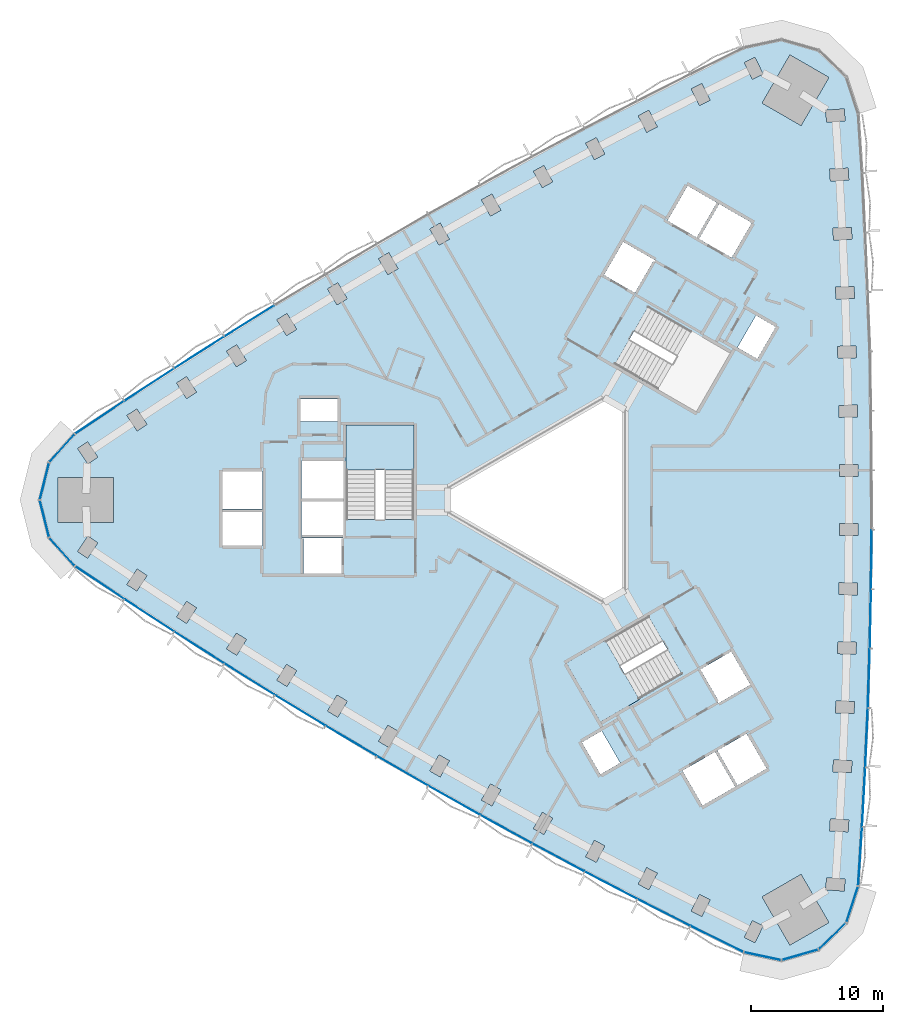
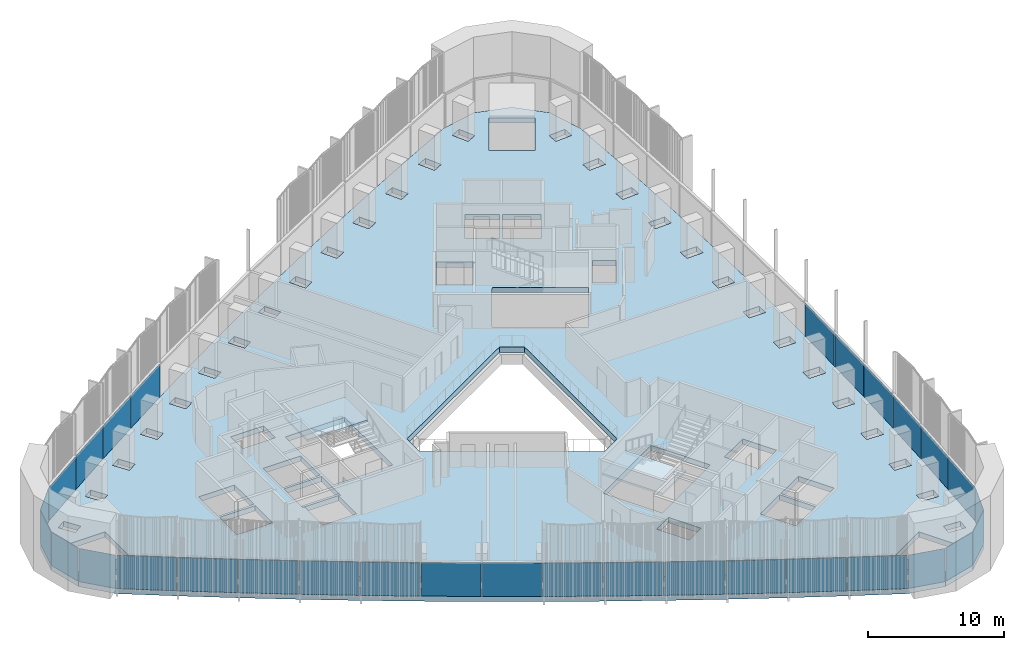
# One storey, part 6 of 15: 31 plates, 3 slabs, 5 elements without a shape of their own.
"""IFC4 building model written with IfcOpenShell, lengths in metres."""

from ifc_helpers import new_model, si_unit, direction, frame, origin, origin_2d, place, context, subcontext, project, spatial, polyline, rectangle, outline, extrude, material, layer, layer_set, type_object, element, aggregate, save


model = new_model("IFC4")

# Units and contexts
model_context = context("Model", 3, precision=1e-05, world=origin(), true_north=direction((0.0, 1.0)))
body_context = subcontext(model_context, "Body", "Model", "MODEL_VIEW")
ifc_project = project(units=[si_unit("LENGTHUNIT", "METRE"), si_unit("AREAUNIT", "SQUARE_METRE"), si_unit("VOLUMEUNIT", "CUBIC_METRE"), si_unit("PLANEANGLEUNIT", "RADIAN"), si_unit("MASSUNIT", "GRAM", prefix="KILO")], contexts=[model_context])

# Site, building, storey
site_placement = place(None, origin())
site = spatial("IfcSite", under=ifc_project, at=site_placement, CompositionType="ELEMENT")
building_placement = place(site_placement, origin())
building = spatial("IfcBuilding", under=site, at=building_placement, Name="Tamra Quay Hotel Tower", CompositionType="ELEMENT")
storey_placement = place(building_placement, frame((0.0, 0.0, 67.39990234375)))
storey = spatial("IfcBuildingStorey", under=building, at=storey_placement, Name="L15", CompositionType="ELEMENT", Elevation=67.39990234375)

# Stair, slab
ifc_material_1 = material(Name="Exit stair 2200 24 risers 150.0 going 342")
stair_type = type_object("IfcStairType", Name="Exit stair 2200 24 risers 150.0 going 342", PredefinedType="HALF_TURN_STAIR", material=ifc_material_1)
stair_1_placement = place(storey_placement, origin())
stair_1 = element("IfcStair", 1, at=stair_1_placement, inside=storey, type_object=stair_type, Name="L15 Exit stair ST3", PredefinedType="HALF_TURN_STAIR")
ifc_material_2 = material(Name="Concrete M70", Category="concrete")
ifc_layer_1 = layer(ifc_material_2, 0.175048828125)
ifc_layer_set_1 = layer_set([ifc_layer_1], Name="Concrete M70 stair landing 180")
slab_type_1 = type_object("IfcSlabType", Name="Concrete M70 stair landing 180", PredefinedType="LANDING", material=ifc_layer_set_1)
slab_1_placement = place(storey_placement, frame((0.0, 0.0, 1.625)))
slab_1 = element("IfcSlab", 2, at=slab_1_placement, type_object=slab_type_1, Name="ST3 landing 1", PredefinedType="LANDING", context=body_context, shape_type="SweptSolid", body=[
    extrude(outline(polyline([(-10.932373046875, 2.261962890625), (-10.932373046875, 5.679931640625), (-16.09130859375, 5.679931640625), (-16.09130859375, 2.261962890625), (-10.932373046875, 2.261962890625)])), origin(), (0.0, 0.0, 1.0), 0.175048828125),
])
aggregate(stair_1, [slab_1])

stair_2_placement = place(storey_placement, origin())
stair_2 = element("IfcStair", 3, at=stair_2_placement, inside=storey, type_object=stair_type, Name="L15 Exit stair ST2", PredefinedType="HALF_TURN_STAIR")
slab_2_placement = place(storey_placement, frame((0.0, 0.0, 1.625)))
slab_2 = element("IfcSlab", 4, at=slab_2_placement, type_object=slab_type_1, Name="ST2 landing 1", PredefinedType="LANDING", context=body_context, shape_type="SweptSolid", body=[
    extrude(outline(polyline([(3.50732421875, -10.5986328125), (0.547119140625, -12.3076171875), (3.126708984375, -16.775390625), (6.086669921875, -15.06640625), (3.50732421875, -10.5986328125)])), origin(), (0.0, 0.0, 1.0), 0.175048828125),
])
aggregate(stair_2, [slab_2])

# Slab
ifc_material_3 = material(Name="Concrete M60", Category="concrete")
ifc_layer_2 = layer(ifc_material_3, 0.47509765625)
ifc_layer_set_2 = layer_set([ifc_layer_2], Name="FLOOR SLAB PT 475")
slab_type_2 = type_object("IfcSlabType", Name="FLOOR SLAB PT 475", PredefinedType="FLOOR", material=ifc_layer_set_2)
slab_3_placement = place(storey_placement, frame((0.0, 0.0, -0.474853515625)))
element("IfcSlab", 5, at=slab_3_placement, inside=storey, type_object=slab_type_2, Name="SLAB-L15", PredefinedType="FLOOR", context=body_context, shape_type="SweptSolid", body=[
    extrude(outline(polyline([(22.8896484375, 24.67529296875), (23.13232421875, 20.1923828125), (23.32666015625, 15.707763671875), (23.472412109375, 11.221435546875), (23.569580078125, 6.73291015625), (23.618408203125, 2.244384765625), (23.618408203125, -2.244384765625), (23.569580078125, -6.73291015625), (23.472412109375, -11.221435546875), (23.32666015625, -15.707763671875), (23.13232421875, -20.1923828125), (22.8896484375, -24.67529296875), (22.598876953125, -29.154296875), (21.697998046875, -31.926025390625), (19.601318359375, -33.95068359375), (16.7998046875, -34.754150390625), (13.948974609375, -34.148193359375), (9.9248046875, -32.16064453125), (5.9208984375, -30.12939453125), (1.93994140625, -28.055419921875), (-2.018310546875, -25.9384765625), (-5.9541015625, -23.7783203125), (-9.865478515625, -21.576171875), (-13.752685546875, -19.331787109375), (-17.61572265625, -17.04541015625), (-21.454345703125, -14.717041015625), (-25.2666015625, -12.34765625), (-29.05322265625, -9.93701171875), (-32.814208984375, -7.4853515625), (-36.547607421875, -4.993896484375), (-38.497802734375, -2.827880859375), (-39.202880859375, 0.0), (-38.497802734375, 2.827880859375), (-36.547607421875, 4.993896484375), (-32.814208984375, 7.4853515625), (-29.05322265625, 9.93701171875), (-25.2666015625, 12.34765625), (-21.454345703125, 14.717041015625), (-17.61572265625, 17.04541015625), (-13.752685546875, 19.331787109375), (-9.865478515625, 21.576171875), (-5.9541015625, 23.7783203125), (-2.018310546875, 25.9384765625), (1.93994140625, 28.055419921875), (5.9208984375, 30.12939453125), (9.9248046875, 32.16064453125), (13.948974609375, 34.148193359375), (16.7998046875, 34.754150390625), (19.601318359375, 33.95068359375), (21.697998046875, 31.926025390625), (22.598876953125, 29.154296875), (22.8896484375, 24.67529296875)]), holes=[polyline([(-17.475830078125, -15.935791015625), (-16.70361328125, -16.39794921875), (-15.984375, -15.19677734375), (-16.756591796875, -14.734619140625), (-17.475830078125, -15.935791015625)]), polyline([(-20.56884765625, -12.416015625), (-21.3017578125, -13.60888671875), (-20.534912109375, -14.080078125), (-19.802001953125, -12.88720703125), (-20.56884765625, -12.416015625)]), polyline([(-24.357177734375, -10.05615234375), (-25.102294921875, -11.2412109375), (-24.340576171875, -11.72021484375), (-23.59521484375, -10.53515625), (-24.357177734375, -10.05615234375)]), polyline([(-28.11962890625, -7.6552734375), (-28.87744140625, -8.83251953125), (-28.12060546875, -9.319580078125), (-27.36279296875, -8.142578125), (-28.11962890625, -7.6552734375)]), polyline([(-31.854736328125, -5.21435546875), (-32.6259765625, -6.3828125), (-31.874755859375, -6.878662109375), (-31.103515625, -5.710205078125), (-31.854736328125, -5.21435546875)]), polyline([(-16.3173828125, -2.85498046875), (-19.4072265625, -2.85498046875), (-19.4072265625, -2.89306640625), (-19.307373046875, -2.89306640625), (-19.307373046875, -5.544921875), (-16.417236328125, -5.544921875), (-16.417236328125, -2.89306640625), (-16.3173828125, -2.89306640625), (-16.3173828125, -2.85498046875)]), polyline([(-35.565185546875, -2.73291015625), (-36.347900390625, -3.8935546875), (-35.601806640625, -4.396728515625), (-34.819091796875, -3.236083984375), (-35.565185546875, -2.73291015625)]), polyline([(-22.3671875, -3.445068359375), (-22.3671875, -0.905029296875), (-25.4072265625, -0.905029296875), (-25.4072265625, -3.445068359375), (-22.3671875, -3.445068359375)]), polyline([(-19.417236328125, -2.89306640625), (-19.417236328125, -2.64501953125), (-16.307373046875, -2.64501953125), (-16.307373046875, -2.89306640625), (-16.26708984375, -2.89306640625), (-16.26708984375, -0.10498046875), (-19.45751953125, -0.10498046875), (-19.45751953125, -2.89306640625), (-19.417236328125, -2.89306640625)]), polyline([(-33.62890625, 1.699951171875), (-37.828857421875, 1.699951171875), (-37.828857421875, -1.699951171875), (-33.62890625, -1.699951171875), (-33.62890625, 1.699951171875)]), polyline([(-25.4072265625, -0.695068359375), (-22.3671875, -0.695068359375), (-22.3671875, 2.14501953125), (-25.4072265625, 2.14501953125), (-25.4072265625, -0.695068359375)]), polyline([(-19.45751953125, 0.10498046875), (-16.26708984375, 0.10498046875), (-16.26708984375, 2.945068359375), (-19.45751953125, 2.945068359375), (-19.45751953125, 0.10498046875)]), polyline([(-16.036376953125, -1.455078125), (-10.9873046875, -1.455078125), (-10.9873046875, 5.625), (-16.036376953125, 5.625), (-16.036376953125, -1.455078125)]), polyline([(-34.819091796875, 3.236083984375), (-35.601806640625, 4.396728515625), (-36.347900390625, 3.8935546875), (-35.565185546875, 2.73291015625), (-34.819091796875, 3.236083984375)]), polyline([(-31.103515625, 5.710205078125), (-31.874755859375, 6.878662109375), (-32.6259765625, 6.3828125), (-31.854736328125, 5.21435546875), (-31.103515625, 5.710205078125)]), polyline([(-16.71728515625, 7.64501953125), (-19.50732421875, 7.64501953125), (-19.50732421875, 5.9150390625), (-16.71728515625, 5.9150390625), (-16.71728515625, 7.64501953125)]), polyline([(-27.36279296875, 8.142578125), (-28.12060546875, 9.319580078125), (-28.87744140625, 8.83251953125), (-28.11962890625, 7.6552734375), (-27.36279296875, 8.142578125)]), polyline([(-23.59521484375, 10.53515625), (-24.340576171875, 11.72021484375), (-25.102294921875, 11.2412109375), (-24.357177734375, 10.05615234375), (-23.59521484375, 10.53515625)]), polyline([(-19.802001953125, 12.88720703125), (-20.534912109375, 14.080078125), (-21.3017578125, 13.60888671875), (-20.56884765625, 12.416015625), (-19.802001953125, 12.88720703125)]), polyline([(-15.984375, 15.19677734375), (-16.70361328125, 16.39794921875), (-17.475830078125, 15.935791015625), (-16.756591796875, 14.734619140625), (-15.984375, 15.19677734375)]), polyline([(-12.141357421875, 17.466064453125), (-12.84765625, 18.6748046875), (-13.624755859375, 18.220703125), (-12.918212890625, 17.011962890625), (-12.141357421875, 17.466064453125)]), polyline([(10.606689453125, -29.79150390625), (9.980224609375, -31.04345703125), (10.78515625, -31.4462890625), (11.41162109375, -30.194091796875), (10.606689453125, -29.79150390625)]), polyline([(6.6298828125, -27.76806640625), (5.9892578125, -29.012939453125), (6.78955078125, -29.4248046875), (7.43017578125, -28.179931640625), (6.6298828125, -27.76806640625)]), polyline([(2.673828125, -25.70166015625), (2.02001953125, -26.939697265625), (2.81591796875, -27.35986328125), (3.4697265625, -26.121826171875), (2.673828125, -25.70166015625)]), polyline([(-1.259521484375, -23.5927734375), (-1.92626953125, -24.82373046875), (-1.134765625, -25.252197265625), (-0.46826171875, -24.021240234375), (-1.259521484375, -23.5927734375)]), polyline([(-5.168701171875, -21.44140625), (-5.849365234375, -22.664794921875), (-5.06298828125, -23.102294921875), (-4.382080078125, -21.87890625), (-5.168701171875, -21.44140625)]), polyline([(13.3056640625, -21.65576171875), (11.78564453125, -19.02294921875), (9.325927734375, -20.443115234375), (10.845947265625, -23.075927734375), (13.3056640625, -21.65576171875)]), polyline([(-9.055419921875, -19.247802734375), (-9.7490234375, -20.4638671875), (-8.96728515625, -20.90966796875), (-8.273681640625, -19.693603515625), (-9.055419921875, -19.247802734375)]), polyline([(1.73779296875, -18.300048828125), (3.1328125, -20.71630859375), (4.631103515625, -19.851318359375), (3.236083984375, -17.43505859375), (1.73779296875, -18.300048828125)]), polyline([(-12.918212890625, -17.011962890625), (-13.624755859375, -18.220703125), (-12.84765625, -18.6748046875), (-12.141357421875, -17.466064453125), (-12.918212890625, -17.011962890625)]), polyline([(10.68115234375, -12.790283203125), (12.05615234375, -15.171875), (11.969482421875, -15.2216796875), (12.03955078125, -15.343017578125), (14.455810546875, -13.947998046875), (13.0107421875, -11.4453125), (10.68115234375, -12.790283203125)]), polyline([(9.2783203125, -13.160400390625), (6.75390625, -8.78759765625), (0.622314453125, -12.32763671875), (3.146728515625, -16.7001953125), (9.2783203125, -13.160400390625)]), polyline([(3.39990234375, 7.736572265625), (-8.39990234375, 0.923828125), (-8.39990234375, -0.923828125), (3.39990234375, -7.736572265625), (5.0, -6.812744140625), (5.0, 6.812744140625), (3.39990234375, 7.736572265625)]), polyline([(6.758056640625, 14.615478515625), (4.2333984375, 10.242919921875), (10.364990234375, 6.702880859375), (12.889404296875, 11.075439453125), (6.758056640625, 14.615478515625)]), polyline([(5.736083984375, 15.645263671875), (7.111083984375, 18.02685546875), (7.19775390625, 17.976806640625), (7.267578125, 18.09814453125), (4.8515625, 19.4931640625), (3.406494140625, 16.990234375), (5.736083984375, 15.645263671875)]), polyline([(-8.273681640625, 19.693603515625), (-8.96728515625, 20.90966796875), (-9.7490234375, 20.4638671875), (-9.055419921875, 19.247802734375), (-8.273681640625, 19.693603515625)]), polyline([(8.2001953125, 21.093017578125), (10.39990234375, 19.822998046875), (11.919921875, 22.455810546875), (9.72021484375, 23.725830078125), (8.2001953125, 21.093017578125)]), polyline([(-4.382080078125, 21.87890625), (-5.06298828125, 23.102294921875), (-5.849365234375, 22.664794921875), (-5.168701171875, 21.44140625), (-4.382080078125, 21.87890625)]), polyline([(-0.46826171875, 24.021240234375), (-1.134765625, 25.252197265625), (-1.92626953125, 24.82373046875), (-1.259521484375, 23.5927734375), (-0.46826171875, 24.021240234375)]), polyline([(3.4697265625, 26.121826171875), (2.81591796875, 27.35986328125), (2.02001953125, 26.939697265625), (2.673828125, 25.70166015625), (3.4697265625, 26.121826171875)]), polyline([(7.43017578125, 28.179931640625), (6.78955078125, 29.4248046875), (5.9892578125, 29.012939453125), (6.6298828125, 27.76806640625), (7.43017578125, 28.179931640625)]), polyline([(11.41162109375, 30.194091796875), (10.78515625, 31.4462890625), (9.980224609375, 31.04345703125), (10.606689453125, 29.79150390625), (11.41162109375, 30.194091796875)]), polyline([(14.60693359375, -31.772216796875), (13.993408203125, -33.030517578125), (14.80224609375, -33.425048828125), (15.416015625, -32.166748046875), (14.60693359375, -31.772216796875)]), polyline([(15.34228515625, -29.973388671875), (17.442138671875, -33.61083984375), (20.38671875, -31.910888671875), (18.28662109375, -28.2734375), (15.34228515625, -29.973388671875)]), polyline([(20.1494140625, -29.43408203125), (21.5458984375, -29.53173828125), (21.608642578125, -28.6337890625), (20.212158203125, -28.5361328125), (20.1494140625, -29.43408203125)]), polyline([(20.443115234375, -24.979736328125), (21.840576171875, -25.0634765625), (21.894287109375, -24.1650390625), (20.496826171875, -24.081298828125), (20.443115234375, -24.979736328125)]), polyline([(20.689453125, -20.524658203125), (22.087890625, -20.59228515625), (22.13134765625, -19.693359375), (20.73291015625, -19.625732421875), (20.689453125, -20.524658203125)]), polyline([(14.1669921875, -17.648193359375), (11.96728515625, -18.91796875), (13.487548828125, -21.55078125), (15.68701171875, -20.281005859375), (14.1669921875, -17.648193359375)]), polyline([(20.887451171875, -16.06591796875), (22.286376953125, -16.11865234375), (22.3203125, -15.219482421875), (20.92138671875, -15.16650390625), (20.887451171875, -16.06591796875)]), polyline([(21.037109375, -11.60498046875), (22.4365234375, -11.643310546875), (22.461181640625, -10.74365234375), (21.0615234375, -10.70556640625), (21.037109375, -11.60498046875)]), polyline([(21.138916015625, -7.144287109375), (22.538818359375, -7.16650390625), (22.552978515625, -6.2666015625), (21.153076171875, -6.244384765625), (21.138916015625, -7.144287109375)]), polyline([(21.19189453125, -2.681640625), (22.591796875, -2.68896484375), (22.5966796875, -1.7890625), (21.19677734375, -1.781494140625), (21.19189453125, -2.681640625)]), polyline([(21.19677734375, 1.781494140625), (22.5966796875, 1.7890625), (22.591796875, 2.68896484375), (21.19189453125, 2.681640625), (21.19677734375, 1.781494140625)]), polyline([(21.153076171875, 6.244384765625), (22.552978515625, 6.2666015625), (22.538818359375, 7.16650390625), (21.138916015625, 7.144287109375), (21.153076171875, 6.244384765625)]), polyline([(21.0615234375, 10.70556640625), (22.461181640625, 10.74365234375), (22.4365234375, 11.643310546875), (21.037109375, 11.60498046875), (21.0615234375, 10.70556640625)]), polyline([(14.9794921875, 10.655029296875), (16.37451171875, 13.0712890625), (14.876220703125, 13.936279296875), (13.481201171875, 11.52001953125), (14.9794921875, 10.655029296875)]), polyline([(20.92138671875, 15.16650390625), (22.3203125, 15.219482421875), (22.286376953125, 16.11865234375), (20.887451171875, 16.06591796875), (20.92138671875, 15.16650390625)]), polyline([(20.73291015625, 19.625732421875), (22.13134765625, 19.693359375), (22.087890625, 20.59228515625), (20.689453125, 20.524658203125), (20.73291015625, 19.625732421875)]), polyline([(12.101806640625, 22.350830078125), (10.58154296875, 19.718017578125), (13.041259765625, 18.298095703125), (14.561279296875, 20.930908203125), (12.101806640625, 22.350830078125)]), polyline([(20.496826171875, 24.081298828125), (21.894287109375, 24.1650390625), (21.840576171875, 25.0634765625), (20.443115234375, 24.979736328125), (20.496826171875, 24.081298828125)]), polyline([(20.212158203125, 28.5361328125), (21.608642578125, 28.6337890625), (21.5458984375, 29.53173828125), (20.1494140625, 29.43408203125), (20.212158203125, 28.5361328125)]), polyline([(18.28662109375, 28.2734375), (20.38671875, 31.910888671875), (17.442138671875, 33.61083984375), (15.34228515625, 29.973388671875), (18.28662109375, 28.2734375)]), polyline([(15.416015625, 32.166748046875), (14.80224609375, 33.425048828125), (13.993408203125, 33.030517578125), (14.60693359375, 31.772216796875), (15.416015625, 32.166748046875)])]), origin(), (0.0, 0.0, 1.0), 0.474853515625),
])

# Curtain wall, plates
ifc_material_4 = material(Name="Aluminium 6063 anodised dark grey", Category="aluminium")
curtain_wall_type_1 = type_object("IfcCurtainWallType", Name="CW1 CURTAIN WALL", PredefinedType="NOTDEFINED", material=ifc_material_4)
curtain_wall_1_placement = place(storey_placement, origin())
curtain_wall_1 = element("IfcCurtainWall", 6, at=curtain_wall_1_placement, inside=storey, type_object=curtain_wall_type_1, Name="CW1 east face L15", PredefinedType="NOTDEFINED")
ifc_material_5 = material(Name="Glass clear laminated low-iron", Category="glass")
ifc_layer_3 = layer(ifc_material_5, 0.035888671875)
ifc_layer_set_3 = layer_set([ifc_layer_3], Name="GLASS PANEL CW1 Z1")
plate_type_1 = type_object("IfcPlateType", Name="GLASS PANEL CW1 Z1", PredefinedType="CURTAIN_PANEL", material=ifc_layer_set_3)
plate_1_placement = place(storey_placement, frame((22.744140625, -26.914794921875, 0.0), z_axis=(0.0, 0.0, 1.0), x_axis=(0.064813190551, 0.997897414733, 0.0)))
plate_1 = element("IfcPlate", 7, at=plate_1_placement, type_object=plate_type_1, Name="CW1 glass L15.E.1", PredefinedType="CURTAIN_PANEL", context=body_context, shape_type="SweptSolid", body=[
    extrude(rectangle(XDim=4.38818359375, YDim=0.035888671875, at=origin_2d()), origin(), (0.0, 0.0, 1.0), 2.985107421875),
])
plate_2_placement = place(storey_placement, frame((23.010986328125, -22.433837890625, 0.0), z_axis=(0.0, 0.0, 1.0), x_axis=(0.054062166947, 0.998537571704, 0.0)))
plate_2 = element("IfcPlate", 8, at=plate_2_placement, type_object=plate_type_1, Name="CW1 glass L15.E.2", PredefinedType="CURTAIN_PANEL", context=body_context, shape_type="SweptSolid", body=[
    extrude(rectangle(XDim=4.3896484375, YDim=0.035888671875, at=origin_2d()), origin(), (0.0, 0.0, 1.0), 2.985107421875),
])
plate_3_placement = place(storey_placement, frame((23.2294921875, -17.949951171875, 0.0), z_axis=(0.0, 0.0, 1.0), x_axis=(0.04328585604, 0.999062728094, 0.0)))
plate_3 = element("IfcPlate", 9, at=plate_3_placement, type_object=plate_type_1, Name="CW1 glass L15.E.3", PredefinedType="CURTAIN_PANEL", context=body_context, shape_type="SweptSolid", body=[
    extrude(rectangle(XDim=4.388671875, YDim=0.035888671875, at=origin_2d()), origin(), (0.0, 0.0, 1.0), 2.985107421875),
])
plate_4_placement = place(storey_placement, frame((23.399658203125, -13.464599609375, 0.0), z_axis=(0.0, 0.0, 1.0), x_axis=(0.032474671117, 0.999472558771, 0.0)))
plate_4 = element("IfcPlate", 10, at=plate_4_placement, type_object=plate_type_1, Name="CW1 glass L15.E.4", PredefinedType="CURTAIN_PANEL", context=body_context, shape_type="SweptSolid", body=[
    extrude(rectangle(XDim=4.388671875, YDim=0.035888671875, at=origin_2d()), origin(), (0.0, 0.0, 1.0), 2.985107421875),
])
plate_5_placement = place(storey_placement, frame((23.52099609375, -8.97705078125, 0.0), z_axis=(0.0, 0.0, 1.0), x_axis=(0.021657653853, 0.999765445507, 0.0)))
plate_5 = element("IfcPlate", 11, at=plate_5_placement, type_object=plate_type_1, Name="CW1 glass L15.E.5", PredefinedType="CURTAIN_PANEL", context=body_context, shape_type="SweptSolid", body=[
    extrude(rectangle(XDim=4.3896484375, YDim=0.035888671875, at=origin_2d()), origin(), (0.0, 0.0, 1.0), 2.985107421875),
])
plate_6_placement = place(storey_placement, frame((23.593994140625, -4.488525390625, 0.0), z_axis=(0.0, 0.0, 1.0), x_axis=(0.010836354168, 0.99994128499, 0.0)))
plate_6 = element("IfcPlate", 12, at=plate_6_placement, type_object=plate_type_1, Name="CW1 glass L15.E.6", PredefinedType="CURTAIN_PANEL", context=body_context, shape_type="SweptSolid", body=[
    extrude(rectangle(XDim=4.388671875, YDim=0.035888671875, at=origin_2d()), origin(), (0.0, 0.0, 1.0), 2.985107421875),
])
aggregate(curtain_wall_1, [plate_1, plate_2, plate_3, plate_4, plate_5, plate_6])

curtain_wall_type_2 = type_object("IfcCurtainWallType", Name="CW2 CURTAIN WALL", PredefinedType="NOTDEFINED", material=ifc_material_4)
curtain_wall_2_placement = place(storey_placement, origin())
curtain_wall_2 = element("IfcCurtainWall", 13, at=curtain_wall_2_placement, inside=storey, type_object=curtain_wall_type_2, Name="CW2 north-west face L15", PredefinedType="NOTDEFINED")
ifc_layer_4 = layer(ifc_material_5, 0.035888671875)
ifc_layer_set_4 = layer_set([ifc_layer_4], Name="GLASS PANEL CW2 Z1")
plate_type_2 = type_object("IfcPlateType", Name="GLASS PANEL CW2 Z1", PredefinedType="CURTAIN_PANEL", material=ifc_layer_set_4)
plate_7_placement = place(storey_placement, frame((-23.360595703125, 13.5322265625, 0.0), z_axis=(0.0, 0.0, 1.0), x_axis=(-0.849331290722, -0.527860169552, 0.0)))
plate_7 = element("IfcPlate", 14, at=plate_7_placement, type_object=plate_type_2, Name="CW2 glass L15.NW.10", PredefinedType="CURTAIN_PANEL", context=body_context, shape_type="SweptSolid", body=[
    extrude(rectangle(XDim=4.388671875, YDim=0.035888671875, at=origin_2d()), origin(), (0.0, 0.0, 1.0), 2.985107421875),
])
plate_8_placement = place(storey_placement, frame((-27.159912109375, 11.142333984375, 0.0), z_axis=(0.0, 0.0, 1.0), x_axis=(-0.843570774484, -0.537018015002, 0.0)))
plate_8 = element("IfcPlate", 15, at=plate_8_placement, type_object=plate_type_2, Name="CW2 glass L15.NW.11", PredefinedType="CURTAIN_PANEL", context=body_context, shape_type="SweptSolid", body=[
    extrude(rectangle(XDim=4.388671875, YDim=0.035888671875, at=origin_2d()), origin(), (0.0, 0.0, 1.0), 2.985107421875),
])
plate_9_placement = place(storey_placement, frame((-30.933837890625, 8.711181640625, 0.0), z_axis=(0.0, 0.0, 1.0), x_axis=(-0.837727820256, -0.546087995811, 0.0)))
plate_9 = element("IfcPlate", 16, at=plate_9_placement, type_object=plate_type_2, Name="CW2 glass L15.NW.12", PredefinedType="CURTAIN_PANEL", context=body_context, shape_type="SweptSolid", body=[
    extrude(rectangle(XDim=4.3896484375, YDim=0.035888671875, at=origin_2d()), origin(), (0.0, 0.0, 1.0), 2.985107421875),
])
plate_10_placement = place(storey_placement, frame((-34.680908203125, 6.23974609375, 0.0), z_axis=(0.0, 0.0, 1.0), x_axis=(-0.831797916254, -0.555078576884, 0.0)))
plate_10 = element("IfcPlate", 17, at=plate_10_placement, type_object=plate_type_2, Name="CW2 glass L15.NW.13", PredefinedType="CURTAIN_PANEL", context=body_context, shape_type="SweptSolid", body=[
    extrude(rectangle(XDim=4.38818359375, YDim=0.035888671875, at=origin_2d()), origin(), (0.0, 0.0, 1.0), 2.985107421875),
])
plate_11_placement = place(storey_placement, frame((-37.522705078125, 3.910888671875, 0.0), z_axis=(0.0, 0.0, 1.0), x_axis=(-0.669112198553, -0.743161399527, 0.0)))
plate_11 = element("IfcPlate", 18, at=plate_11_placement, type_object=plate_type_2, Name="CW2 glass L15.NW.14", PredefinedType="CURTAIN_PANEL", context=body_context, shape_type="SweptSolid", body=[
    extrude(rectangle(XDim=2.814697265625, YDim=0.035888671875, at=origin_2d()), origin(), (0.0, 0.0, 1.0), 2.985107421875),
])
plate_12_placement = place(storey_placement, frame((-38.850341796875, 1.4140625, 0.0), z_axis=(0.0, 0.0, 1.0), x_axis=(-0.241913884219, -0.970297723702, 0.0)))
plate_12 = element("IfcPlate", 19, at=plate_12_placement, type_object=plate_type_2, Name="CW2 glass L15.NW.15", PredefinedType="CURTAIN_PANEL", context=body_context, shape_type="SweptSolid", body=[
    extrude(rectangle(XDim=2.814697265625, YDim=0.035888671875, at=origin_2d()), origin(), (0.0, 0.0, 1.0), 2.985107421875),
])
plate_13_placement = place(storey_placement, frame((-38.850341796875, -1.4140625, 0.0), z_axis=(0.0, 0.0, 1.0), x_axis=(0.24191388422, -0.970297723702, 0.0)))
plate_13 = element("IfcPlate", 20, at=plate_13_placement, type_object=plate_type_2, Name="CW2 glass L15.NW.16", PredefinedType="CURTAIN_PANEL", context=body_context, shape_type="SweptSolid", body=[
    extrude(rectangle(XDim=2.814697265625, YDim=0.035888671875, at=origin_2d()), origin(), (0.0, 0.0, 1.0), 2.985107421875),
])
plate_14_placement = place(storey_placement, frame((-37.522705078125, -3.910888671875, 0.0), z_axis=(0.0, 0.0, 1.0), x_axis=(0.669112198553, -0.743161399527, 0.0)))
plate_14 = element("IfcPlate", 21, at=plate_14_placement, type_object=plate_type_2, Name="CW2 glass L15.NW.17", PredefinedType="CURTAIN_PANEL", context=body_context, shape_type="SweptSolid", body=[
    extrude(rectangle(XDim=2.814697265625, YDim=0.035888671875, at=origin_2d()), origin(), (0.0, 0.0, 1.0), 2.985107421875),
])
aggregate(curtain_wall_2, [plate_7, plate_8, plate_9, plate_10, plate_11, plate_12, plate_13, plate_14])

curtain_wall_type_3 = type_object("IfcCurtainWallType", Name="CW3 CURTAIN WALL", PredefinedType="NOTDEFINED", material=ifc_material_4)
curtain_wall_3_placement = place(storey_placement, origin())
curtain_wall_3 = element("IfcCurtainWall", 22, at=curtain_wall_3_placement, inside=storey, type_object=curtain_wall_type_3, Name="CW3 south-west face L15", PredefinedType="NOTDEFINED")
ifc_layer_5 = layer(ifc_material_5, 0.035888671875)
ifc_layer_set_5 = layer_set([ifc_layer_5], Name="GLASS PANEL CW3 Z1")
plate_type_3 = type_object("IfcPlateType", Name="GLASS PANEL CW3 Z1", PredefinedType="CURTAIN_PANEL", material=ifc_layer_set_5)
plate_15_placement = place(storey_placement, frame((-34.680908203125, -6.23974609375, 0.0), z_axis=(0.0, 0.0, 1.0), x_axis=(0.831797916254, -0.555078576884, 0.0)))
plate_15 = element("IfcPlate", 23, at=plate_15_placement, type_object=plate_type_3, Name="CW3 glass L15.SW.1", PredefinedType="CURTAIN_PANEL", context=body_context, shape_type="SweptSolid", body=[
    extrude(rectangle(XDim=4.38818359375, YDim=0.035888671875, at=origin_2d()), origin(), (0.0, 0.0, 1.0), 2.985107421875),
])
plate_16_placement = place(storey_placement, frame((-30.933837890625, -8.711181640625, 0.0), z_axis=(0.0, 0.0, 1.0), x_axis=(0.837727820256, -0.546087995811, 0.0)))
plate_16 = element("IfcPlate", 24, at=plate_16_placement, type_object=plate_type_3, Name="CW3 glass L15.SW.2", PredefinedType="CURTAIN_PANEL", context=body_context, shape_type="SweptSolid", body=[
    extrude(rectangle(XDim=4.3896484375, YDim=0.035888671875, at=origin_2d()), origin(), (0.0, 0.0, 1.0), 2.985107421875),
])
plate_17_placement = place(storey_placement, frame((-27.159912109375, -11.142333984375, 0.0), z_axis=(0.0, 0.0, 1.0), x_axis=(0.843570774484, -0.537018015002, 0.0)))
plate_17 = element("IfcPlate", 25, at=plate_17_placement, type_object=plate_type_3, Name="CW3 glass L15.SW.3", PredefinedType="CURTAIN_PANEL", context=body_context, shape_type="SweptSolid", body=[
    extrude(rectangle(XDim=4.388671875, YDim=0.035888671875, at=origin_2d()), origin(), (0.0, 0.0, 1.0), 2.985107421875),
])
plate_18_placement = place(storey_placement, frame((-23.360595703125, -13.5322265625, 0.0), z_axis=(0.0, 0.0, 1.0), x_axis=(0.849331290722, -0.527860169552, 0.0)))
plate_18 = element("IfcPlate", 26, at=plate_18_placement, type_object=plate_type_3, Name="CW3 glass L15.SW.4", PredefinedType="CURTAIN_PANEL", context=body_context, shape_type="SweptSolid", body=[
    extrude(rectangle(XDim=4.388671875, YDim=0.035888671875, at=origin_2d()), origin(), (0.0, 0.0, 1.0), 2.985107421875),
])
plate_19_placement = place(storey_placement, frame((-19.534912109375, -15.88134765625, 0.0), z_axis=(0.0, 0.0, 1.0), x_axis=(0.854993446708, -0.518638801177, 0.0)))
plate_19 = element("IfcPlate", 27, at=plate_19_placement, type_object=plate_type_3, Name="CW3 glass L15.SW.5", PredefinedType="CURTAIN_PANEL", context=body_context, shape_type="SweptSolid", body=[
    extrude(rectangle(XDim=4.3896484375, YDim=0.035888671875, at=origin_2d()), origin(), (0.0, 0.0, 1.0), 2.985107421875),
])
plate_20_placement = place(storey_placement, frame((-15.684326171875, -18.188720703125, 0.0), z_axis=(0.0, 0.0, 1.0), x_axis=(0.860556378011, -0.509355200489, 0.0)))
plate_20 = element("IfcPlate", 28, at=plate_20_placement, type_object=plate_type_3, Name="CW3 glass L15.SW.6", PredefinedType="CURTAIN_PANEL", context=body_context, shape_type="SweptSolid", body=[
    extrude(rectangle(XDim=4.388671875, YDim=0.035888671875, at=origin_2d()), origin(), (0.0, 0.0, 1.0), 2.985107421875),
])
plate_21_placement = place(storey_placement, frame((-11.80908203125, -20.4541015625, 0.0), z_axis=(0.0, 0.0, 1.0), x_axis=(0.866025403784, -0.5, 0.0)))
plate_21 = element("IfcPlate", 29, at=plate_21_placement, type_object=plate_type_3, Name="CW3 glass L15.SW.7", PredefinedType="CURTAIN_PANEL", context=body_context, shape_type="SweptSolid", body=[
    extrude(rectangle(XDim=4.388671875, YDim=0.035888671875, at=origin_2d()), origin(), (0.0, 0.0, 1.0), 2.985107421875),
])
plate_22_placement = place(storey_placement, frame((-7.90966796875, -22.67724609375, 0.0), z_axis=(0.0, 0.0, 1.0), x_axis=(0.871392732178, -0.490586084502, 0.0)))
plate_22 = element("IfcPlate", 30, at=plate_22_placement, type_object=plate_type_3, Name="CW3 glass L15.SW.8", PredefinedType="CURTAIN_PANEL", context=body_context, shape_type="SweptSolid", body=[
    extrude(rectangle(XDim=4.388671875, YDim=0.035888671875, at=origin_2d()), origin(), (0.0, 0.0, 1.0), 2.985107421875),
])
plate_23_placement = place(storey_placement, frame((-3.986083984375, -24.8583984375, 0.0), z_axis=(0.0, 0.0, 1.0), x_axis=(0.876651100562, -0.48112664433, 0.0)))
plate_23 = element("IfcPlate", 31, at=plate_23_placement, type_object=plate_type_3, Name="CW3 glass L15.SW.9", PredefinedType="CURTAIN_PANEL", context=body_context, shape_type="SweptSolid", body=[
    extrude(rectangle(XDim=4.3896484375, YDim=0.035888671875, at=origin_2d()), origin(), (0.0, 0.0, 1.0), 2.985107421875),
])
plate_24_placement = place(storey_placement, frame((-0.0390625, -26.996826171875, 0.0), z_axis=(0.0, 0.0, 1.0), x_axis=(0.88180596184, -0.471612389218, 0.0)))
plate_24 = element("IfcPlate", 32, at=plate_24_placement, type_object=plate_type_3, Name="CW3 glass L15.SW.10", PredefinedType="CURTAIN_PANEL", context=body_context, shape_type="SweptSolid", body=[
    extrude(rectangle(XDim=4.388671875, YDim=0.035888671875, at=origin_2d()), origin(), (0.0, 0.0, 1.0), 2.985107421875),
])
plate_25_placement = place(storey_placement, frame((3.930419921875, -29.09228515625, 0.0), z_axis=(0.0, 0.0, 1.0), x_axis=(0.886856630524, -0.462044713092, 0.0)))
plate_25 = element("IfcPlate", 33, at=plate_25_placement, type_object=plate_type_3, Name="CW3 glass L15.SW.11", PredefinedType="CURTAIN_PANEL", context=body_context, shape_type="SweptSolid", body=[
    extrude(rectangle(XDim=4.388671875, YDim=0.035888671875, at=origin_2d()), origin(), (0.0, 0.0, 1.0), 2.985107421875),
])
plate_26_placement = place(storey_placement, frame((7.9228515625, -31.14501953125, 0.0), z_axis=(0.0, 0.0, 1.0), x_axis=(0.891789987202, -0.452449575893, 0.0)))
plate_26 = element("IfcPlate", 34, at=plate_26_placement, type_object=plate_type_3, Name="CW3 glass L15.SW.12", PredefinedType="CURTAIN_PANEL", context=body_context, shape_type="SweptSolid", body=[
    extrude(rectangle(XDim=4.3896484375, YDim=0.035888671875, at=origin_2d()), origin(), (0.0, 0.0, 1.0), 2.985107421875),
])
plate_27_placement = place(storey_placement, frame((11.936767578125, -33.154541015625, 0.0), z_axis=(0.0, 0.0, 1.0), x_axis=(0.896611106805, -0.442818837849, 0.0)))
plate_27 = element("IfcPlate", 35, at=plate_27_placement, type_object=plate_type_3, Name="CW3 glass L15.SW.13", PredefinedType="CURTAIN_PANEL", context=body_context, shape_type="SweptSolid", body=[
    extrude(rectangle(XDim=4.38818359375, YDim=0.035888671875, at=origin_2d()), origin(), (0.0, 0.0, 1.0), 2.985107421875),
])
plate_28_placement = place(storey_placement, frame((15.374267578125, -34.451171875, 0.0), z_axis=(0.0, 0.0, 1.0), x_axis=(0.978152750379, -0.207887462165, 0.0)))
plate_28 = element("IfcPlate", 36, at=plate_28_placement, type_object=plate_type_3, Name="CW3 glass L15.SW.14", PredefinedType="CURTAIN_PANEL", context=body_context, shape_type="SweptSolid", body=[
    extrude(rectangle(XDim=2.814697265625, YDim=0.035888671875, at=origin_2d()), origin(), (0.0, 0.0, 1.0), 2.985107421875),
])
plate_29_placement = place(storey_placement, frame((18.20068359375, -34.352294921875, 0.0), z_axis=(0.0, 0.0, 1.0), x_axis=(0.96125942007, 0.275645292589, 0.0)))
plate_29 = element("IfcPlate", 37, at=plate_29_placement, type_object=plate_type_3, Name="CW3 glass L15.SW.15", PredefinedType="CURTAIN_PANEL", context=body_context, shape_type="SweptSolid", body=[
    extrude(rectangle(XDim=2.814697265625, YDim=0.035888671875, at=origin_2d()), origin(), (0.0, 0.0, 1.0), 2.985107421875),
])
plate_30_placement = place(storey_placement, frame((20.649658203125, -32.9384765625, 0.0), z_axis=(0.0, 0.0, 1.0), x_axis=(0.719345535851, 0.694652431113, 0.0)))
plate_30 = element("IfcPlate", 38, at=plate_30_placement, type_object=plate_type_3, Name="CW3 glass L15.SW.16", PredefinedType="CURTAIN_PANEL", context=body_context, shape_type="SweptSolid", body=[
    extrude(rectangle(XDim=2.814697265625, YDim=0.035888671875, at=origin_2d()), origin(), (0.0, 0.0, 1.0), 2.985107421875),
])
plate_31_placement = place(storey_placement, frame((22.1484375, -30.5400390625, 0.0), z_axis=(0.0, 0.0, 1.0), x_axis=(0.309040551826, 0.951048861693, 0.0)))
plate_31 = element("IfcPlate", 39, at=plate_31_placement, type_object=plate_type_3, Name="CW3 glass L15.SW.17", PredefinedType="CURTAIN_PANEL", context=body_context, shape_type="SweptSolid", body=[
    extrude(rectangle(XDim=2.814697265625, YDim=0.035888671875, at=origin_2d()), origin(), (0.0, 0.0, 1.0), 2.985107421875),
])
aggregate(curtain_wall_3, [plate_15, plate_16, plate_17, plate_18, plate_19, plate_20, plate_21, plate_22, plate_23, plate_24, plate_25, plate_26, plate_27, plate_28, plate_29, plate_30, plate_31])

save(model, "model.ifc")
